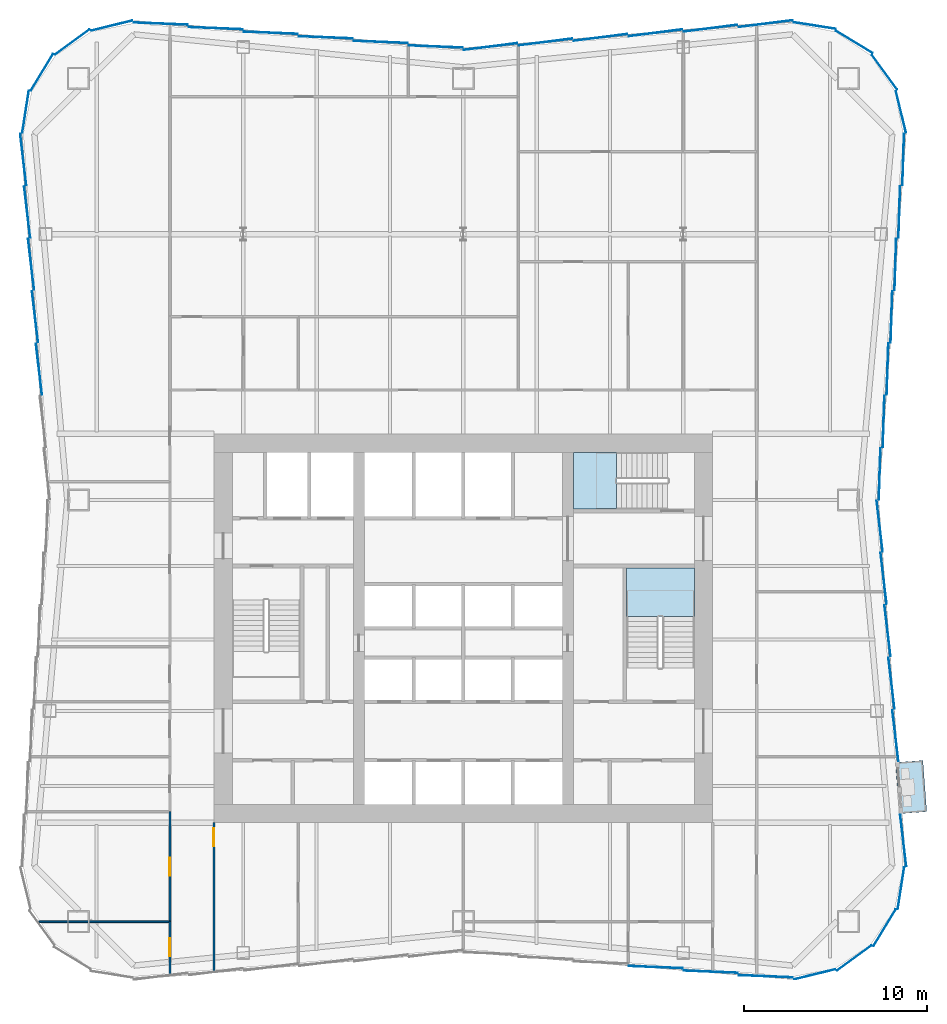
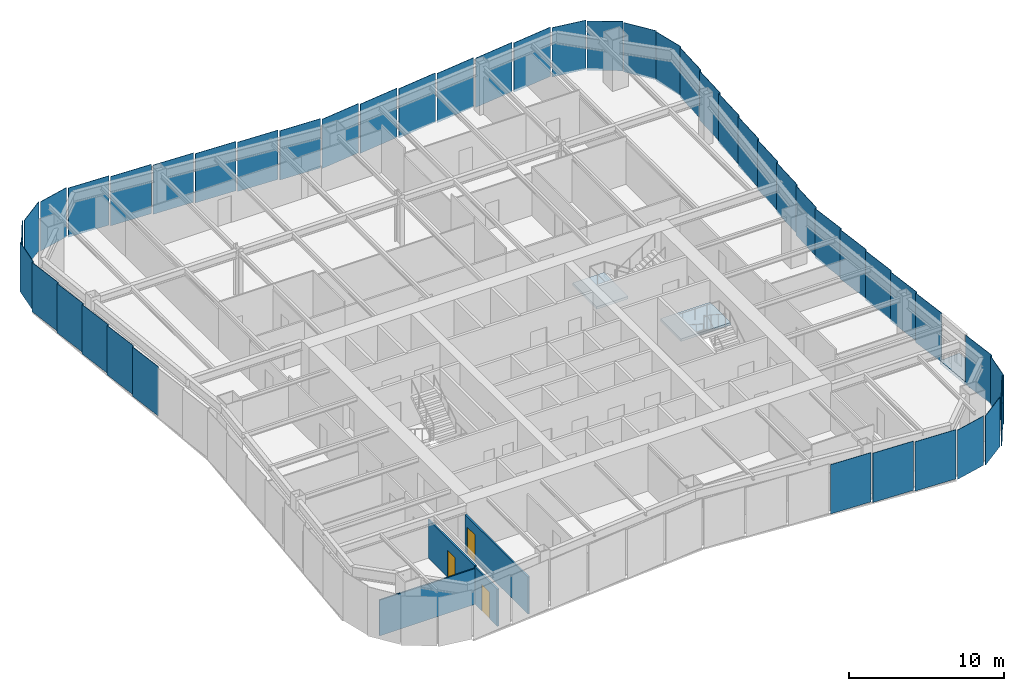
# One storey, part 3 of 9: 45 plates, 4 walls, 3 doors, 3 slabs, 3 openings, 9 elements without a shape of their own.
"""IFC4 building model written with IfcOpenShell, lengths in metres."""

from ifc_helpers import new_model, si_unit, direction, frame, frame_2d, origin, origin_2d, place, context, subcontext, project, spatial, polyline, rectangle, outline, extrude, material, layer, layer_set, type_object, element, fill, aggregate, save


model = new_model("IFC4")

# Units and contexts
model_context = context("Model", 3, precision=1e-05, world=origin(), true_north=direction((0.0, 1.0)))
body_context = subcontext(model_context, "Body", "Model", "MODEL_VIEW")
ifc_project = project(units=[si_unit("LENGTHUNIT", "METRE"), si_unit("AREAUNIT", "SQUARE_METRE"), si_unit("VOLUMEUNIT", "CUBIC_METRE"), si_unit("PLANEANGLEUNIT", "RADIAN"), si_unit("MASSUNIT", "GRAM", prefix="KILO")], contexts=[model_context])

# Site, building, storey
site_placement = place(None, origin())
site = spatial("IfcSite", under=ifc_project, at=site_placement, CompositionType="ELEMENT")
building_placement = place(site_placement, origin())
building = spatial("IfcBuilding", under=site, at=building_placement, Name="Verdant Reach Tower", CompositionType="ELEMENT")
storey_placement = place(building_placement, frame((0.0, 0.0, 166.0)))
storey = spatial("IfcBuildingStorey", under=building, at=storey_placement, Name="L38", CompositionType="ELEMENT", Elevation=166.0)

# Stair, slab
ifc_material_1 = material(Name="Concrete C40/50", Category="concrete")
stair_type = type_object("IfcStairType", Name="CO-STAIR", PredefinedType="HALF_TURN_STAIR", material=ifc_material_1)
stair_1_placement = place(storey_placement, origin())
stair_1 = element("IfcStair", 1, at=stair_1_placement, inside=storey, type_object=stair_type, Name="L38 Exit stair 2", PredefinedType="HALF_TURN_STAIR")
ifc_layer_1 = layer(ifc_material_1, 0.199951171875)
ifc_layer_set_1 = layer_set([ifc_layer_1], Name="CO-STAIR-LANDING")
slab_type_1 = type_object("IfcSlabType", Name="CO-STAIR-LANDING", PredefinedType="LANDING", material=ifc_layer_set_1)
slab_1_placement = place(storey_placement, frame((0.0, 0.0, 1.800048828125)))
slab_1 = element("IfcSlab", 2, at=slab_1_placement, type_object=slab_type_1, Name="ST-2 landing 1", PredefinedType="LANDING", context=body_context, shape_type="SweptSolid", body=[
    extrude(outline(polyline([(12.60009765625, 28.64990234375), (12.60009765625, 31.300048828125), (8.89990234375, 31.300048828125), (8.89990234375, 28.64990234375), (12.60009765625, 28.64990234375)])), origin(), (0.0, 0.0, 1.0), 0.199951171875),
])
aggregate(stair_1, [slab_1])

stair_2_placement = place(storey_placement, origin())
stair_2 = element("IfcStair", 3, at=stair_2_placement, inside=storey, type_object=stair_type, Name="L38 Exit stair 3", PredefinedType="HALF_TURN_STAIR")
slab_2_placement = place(storey_placement, frame((0.0, 0.0, 1.800048828125)))
slab_2 = element("IfcSlab", 4, at=slab_2_placement, type_object=slab_type_1, Name="ST-3 landing 1", PredefinedType="LANDING", context=body_context, shape_type="SweptSolid", body=[
    extrude(outline(polyline([(8.35009765625, 37.60009765625), (6.0, 37.60009765625), (6.0, 34.5), (8.35009765625, 34.5), (8.35009765625, 37.60009765625)])), origin(), (0.0, 0.0, 1.0), 0.199951171875),
])
aggregate(stair_2, [slab_2])

# Slab
ifc_material_2 = material(Name="Concrete C35/45", Category="concrete")
ifc_layer_2 = layer(ifc_material_2, 0.25)
ifc_layer_set_2 = layer_set([ifc_layer_2], Name="EN-BALCONY SLAB")
slab_type_2 = type_object("IfcSlabType", Name="EN-BALCONY SLAB", PredefinedType="FLOOR", material=ifc_layer_set_2)
slab_3_placement = place(storey_placement, frame((0.0, 0.0, -0.25)))
element("IfcSlab", 5, at=slab_3_placement, inside=storey, type_object=slab_type_2, Name="Balcony slab 1, L38", PredefinedType="FLOOR", context=body_context, shape_type="SweptSolid", body=[
    extrude(outline(polyline([(23.783203125, 17.88916015625), (23.57373046875, 20.682373046875), (25.069580078125, 20.794677734375), (25.279052734375, 18.001220703125), (23.783203125, 17.88916015625)])), origin(), (0.0, 0.0, 1.0), 0.25),
])

# Curtain wall, plates
ifc_material_3 = material(Name="Anodised aluminium", Category="aluminium")
curtain_wall_type = type_object("IfcCurtainWallType", Name="EN-CW SYSTEM Z2", PredefinedType="NOTDEFINED", material=ifc_material_3)
curtain_wall_1_placement = place(storey_placement, origin())
curtain_wall_1 = element("IfcCurtainWall", 6, at=curtain_wall_1_placement, inside=storey, type_object=curtain_wall_type, Name="Curtain wall south-east corner, L38", PredefinedType="NOTDEFINED")
ifc_material_4 = material(Name="Tinted glass with champagne spandrel", Category="glass")
ifc_layer_3 = layer(ifc_material_4, 0.031982421875)
ifc_layer_set_3 = layer_set([ifc_layer_3], Name="EN-PANEL CHAMPAGNE")
plate_type_1 = type_object("IfcPlateType", Name="EN-PANEL CHAMPAGNE", PredefinedType="CURTAIN_PANEL", material=ifc_layer_set_3)
plate_1_placement = place(storey_placement, frame((21.3271484375, 10.0205078125, -0.22607421875), z_axis=(0.0, 0.0, 1.0), x_axis=(0.807456760688, 0.589926757843, 0.0)))
plate_1 = element("IfcPlate", 7, at=plate_1_placement, type_object=plate_type_1, Name="Glass panel south-east corner 2.1, L38", PredefinedType="CURTAIN_PANEL", context=body_context, shape_type="SweptSolid", body=[
    extrude(rectangle(XDim=2.322509765625, YDim=0.031982421875, at=origin_2d()), origin(), (0.0, 0.0, 1.0), 3.8759765625),
])
plate_2_placement = place(storey_placement, frame((22.9794921875, 11.6728515625, -0.22607421875), z_axis=(0.0, 0.0, 1.0), x_axis=(0.520291561353, 0.853988694998, 0.0)))
plate_2 = element("IfcPlate", 8, at=plate_2_placement, type_object=plate_type_1, Name="Glass panel south-east corner 3.1, L38", PredefinedType="CURTAIN_PANEL", context=body_context, shape_type="SweptSolid", body=[
    extrude(rectangle(XDim=2.322509765625, YDim=0.031982421875, at=origin_2d()), origin(), (0.0, 0.0, 1.0), 3.8759765625),
])

curtain_wall_2_placement = place(storey_placement, origin())
curtain_wall_2 = element("IfcCurtainWall", 9, at=curtain_wall_2_placement, inside=storey, type_object=curtain_wall_type, Name="Curtain wall east, L38", PredefinedType="NOTDEFINED")
plate_3_placement = place(storey_placement, frame((23.99853515625, 16.42919921875, -0.22607421875), z_axis=(0.0, 0.0, 1.0), x_axis=(-0.116147092358, 0.993232023717, 0.0)))
plate_3 = element("IfcPlate", 10, at=plate_3_placement, type_object=plate_type_1, Name="Glass panel east face part 1 1.1, L38", PredefinedType="CURTAIN_PANEL", context=body_context, shape_type="SweptSolid", body=[
    extrude(rectangle(XDim=2.819580078125, YDim=0.031982421875, at=origin_2d()), origin(), (0.0, 0.0, 1.0), 3.8759765625),
])
plate_4_placement = place(storey_placement, frame((22.92724609375, 39.27783203125, -0.22607421875), z_axis=(0.0, 0.0, 1.0), x_axis=(0.032965971753, 0.999456474643, 0.0)))
plate_4 = element("IfcPlate", 11, at=plate_4_placement, type_object=plate_type_1, Name="Glass panel east face part 2 2.1, L38", PredefinedType="CURTAIN_PANEL", context=body_context, shape_type="SweptSolid", body=[
    extrude(rectangle(XDim=2.80517578125, YDim=0.031982421875, at=origin_2d()), origin(), (0.0, 0.0, 1.0), 3.8759765625),
])
plate_5_placement = place(storey_placement, frame((23.141357421875, 42.135009765625, -0.22607421875), z_axis=(0.0, 0.0, 1.0), x_axis=(0.032965971753, 0.999456474643, 0.0)))
plate_5 = element("IfcPlate", 12, at=plate_5_placement, type_object=plate_type_1, Name="Glass panel east face part 2 3.1, L38", PredefinedType="CURTAIN_PANEL", context=body_context, shape_type="SweptSolid", body=[
    extrude(rectangle(XDim=2.80517578125, YDim=0.031982421875, at=origin_2d()), origin(), (0.0, 0.0, 1.0), 3.8759765625),
])

curtain_wall_3_placement = place(storey_placement, origin())
curtain_wall_3 = element("IfcCurtainWall", 13, at=curtain_wall_3_placement, inside=storey, type_object=curtain_wall_type, Name="Curtain wall north-east corner, L38", PredefinedType="NOTDEFINED")
plate_6_placement = place(storey_placement, frame((23.87353515625, 56.171630859375, -0.22607421875), z_axis=(0.0, 0.0, 1.0), x_axis=(-0.236416170006, 0.971651889598, 0.0)))
plate_6 = element("IfcPlate", 14, at=plate_6_placement, type_object=plate_type_1, Name="Glass panel north-east corner 1.1, L38", PredefinedType="CURTAIN_PANEL", context=body_context, shape_type="SweptSolid", body=[
    extrude(rectangle(XDim=2.316162109375, YDim=0.031982421875, at=origin_2d()), origin(), (0.0, 0.0, 1.0), 3.8759765625),
])
plate_7_placement = place(storey_placement, frame((22.9794921875, 58.3271484375, -0.22607421875), z_axis=(0.0, 0.0, 1.0), x_axis=(-0.589926757843, 0.807456760688, 0.0)))
plate_7 = element("IfcPlate", 15, at=plate_7_placement, type_object=plate_type_1, Name="Glass panel north-east corner 2.1, L38", PredefinedType="CURTAIN_PANEL", context=body_context, shape_type="SweptSolid", body=[
    extrude(rectangle(XDim=2.322509765625, YDim=0.031982421875, at=origin_2d()), origin(), (0.0, 0.0, 1.0), 3.8759765625),
])

curtain_wall_4_placement = place(storey_placement, origin())
curtain_wall_4 = element("IfcCurtainWall", 16, at=curtain_wall_4_placement, inside=storey, type_object=curtain_wall_type, Name="Curtain wall north, L38", PredefinedType="NOTDEFINED")
plate_8_placement = place(storey_placement, frame((1.49560546875, 59.730712890625, -0.22607421875), z_axis=(0.0, 0.0, 1.0), x_axis=(-0.992178815188, -0.12482467181, 0.0)))
plate_8 = element("IfcPlate", 17, at=plate_8_placement, type_object=plate_type_1, Name="Glass panel north face part 1 6.1, L38", PredefinedType="CURTAIN_PANEL", context=body_context, shape_type="SweptSolid", body=[
    extrude(rectangle(XDim=2.941650390625, YDim=0.031982421875, at=origin_2d()), origin(), (0.0, 0.0, 1.0), 3.8759765625),
])
plate_9_placement = place(storey_placement, frame((-1.49560546875, 59.730712890625, -0.22607421875), z_axis=(0.0, 0.0, 1.0), x_axis=(-0.999144163765, 0.041363510662, 0.0)))
plate_9 = element("IfcPlate", 18, at=plate_9_placement, type_object=plate_type_1, Name="Glass panel north face part 2 1.1, L38", PredefinedType="CURTAIN_PANEL", context=body_context, shape_type="SweptSolid", body=[
    extrude(rectangle(XDim=2.941650390625, YDim=0.031982421875, at=origin_2d()), origin(), (0.0, 0.0, 1.0), 3.8759765625),
])

curtain_wall_5_placement = place(storey_placement, origin())
curtain_wall_5 = element("IfcCurtainWall", 19, at=curtain_wall_5_placement, inside=storey, type_object=curtain_wall_type, Name="Curtain wall west, L38", PredefinedType="NOTDEFINED")
plate_10_placement = place(storey_placement, frame((-23.355712890625, 44.9921875, -0.22607421875), z_axis=(0.0, 0.0, 1.0), x_axis=(0.116482717753, -0.993192718693, 0.0)))
plate_10 = element("IfcPlate", 20, at=plate_10_placement, type_object=plate_type_1, Name="Glass panel west face part 1 4.1, L38", PredefinedType="CURTAIN_PANEL", context=body_context, shape_type="SweptSolid", body=[
    extrude(rectangle(XDim=2.80517578125, YDim=0.031982421875, at=origin_2d()), origin(), (0.0, 0.0, 1.0), 3.8759765625),
])
plate_11_placement = place(storey_placement, frame((-23.141357421875, 42.135009765625, -0.22607421875), z_axis=(0.0, 0.0, 1.0), x_axis=(0.116482717753, -0.993192718693, 0.0)))
plate_11 = element("IfcPlate", 21, at=plate_11_placement, type_object=plate_type_1, Name="Glass panel west face part 1 5.1, L38", PredefinedType="CURTAIN_PANEL", context=body_context, shape_type="SweptSolid", body=[
    extrude(rectangle(XDim=2.80517578125, YDim=0.031982421875, at=origin_2d()), origin(), (0.0, 0.0, 1.0), 3.8759765625),
])

curtain_wall_6_placement = place(storey_placement, origin())
curtain_wall_6 = element("IfcCurtainWall", 22, at=curtain_wall_6_placement, inside=storey, type_object=curtain_wall_type, Name="Curtain wall south, L38", PredefinedType="NOTDEFINED")
plate_12_placement = place(storey_placement, frame((10.4912109375, 9.519287109375, -0.22607421875), z_axis=(0.0, 0.0, 1.0), x_axis=(0.999149202059, -0.041241629766, 0.0)))
plate_12 = element("IfcPlate", 23, at=plate_12_placement, type_object=plate_type_1, Name="Glass panel south face part 2 4.1, L38", PredefinedType="CURTAIN_PANEL", context=body_context, shape_type="SweptSolid", body=[
    extrude(rectangle(XDim=2.950439453125, YDim=0.031982421875, at=origin_2d()), origin(), (0.0, 0.0, 1.0), 3.8759765625),
])
plate_13_placement = place(storey_placement, frame((13.4912109375, 9.269287109375, -0.22607421875), z_axis=(0.0, 0.0, 1.0), x_axis=(0.999149202059, -0.041241629766, 0.0)))
plate_13 = element("IfcPlate", 24, at=plate_13_placement, type_object=plate_type_1, Name="Glass panel south face part 2 5.1, L38", PredefinedType="CURTAIN_PANEL", context=body_context, shape_type="SweptSolid", body=[
    extrude(rectangle(XDim=2.950439453125, YDim=0.031982421875, at=origin_2d()), origin(), (0.0, 0.0, 1.0), 3.8759765625),
])

# Plate
ifc_material_5 = material(Name="Tinted glass with copper spandrel", Category="glass")
ifc_layer_4 = layer(ifc_material_5, 0.031982421875)
ifc_layer_set_4 = layer_set([ifc_layer_4], Name="EN-PANEL COPPER")
plate_type_2 = type_object("IfcPlateType", Name="EN-PANEL COPPER", PredefinedType="CURTAIN_PANEL", material=ifc_layer_set_4)
plate_14_placement = place(storey_placement, frame((23.87353515625, 13.828369140625, -0.22607421875), z_axis=(0.0, 0.0, 1.0), x_axis=(0.154281290631, 0.988026964896, 0.0)))
plate_14 = element("IfcPlate", 25, at=plate_14_placement, type_object=plate_type_2, Name="Glass panel south-east corner 4.1, L38", PredefinedType="CURTAIN_PANEL", context=body_context, shape_type="SweptSolid", body=[
    extrude(rectangle(XDim=2.316162109375, YDim=0.031982421875, at=origin_2d()), origin(), (0.0, 0.0, 1.0), 3.8759765625),
])

plate_15_placement = place(storey_placement, frame((23.570068359375, 22.15087890625, -0.22607421875), z_axis=(0.0, 0.0, 1.0), x_axis=(-0.116482717753, 0.993192718693, 0.0)))
plate_15 = element("IfcPlate", 26, at=plate_15_placement, type_object=plate_type_2, Name="Glass panel east face part 1 3.1, L38", PredefinedType="CURTAIN_PANEL", context=body_context, shape_type="SweptSolid", body=[
    extrude(rectangle(XDim=2.80517578125, YDim=0.031982421875, at=origin_2d()), origin(), (0.0, 0.0, 1.0), 3.8759765625),
])

plate_16_placement = place(storey_placement, frame((23.355712890625, 25.0078125, -0.22607421875), z_axis=(0.0, 0.0, 1.0), x_axis=(-0.116482717753, 0.993192718693, 0.0)))
plate_16 = element("IfcPlate", 27, at=plate_16_placement, type_object=plate_type_2, Name="Glass panel east face part 1 4.1, L38", PredefinedType="CURTAIN_PANEL", context=body_context, shape_type="SweptSolid", body=[
    extrude(rectangle(XDim=2.80517578125, YDim=0.031982421875, at=origin_2d()), origin(), (0.0, 0.0, 1.0), 3.8759765625),
])

plate_17_placement = place(storey_placement, frame((23.355712890625, 44.9921875, -0.22607421875), z_axis=(0.0, 0.0, 1.0), x_axis=(0.032965971753, 0.999456474643, 0.0)))
plate_17 = element("IfcPlate", 28, at=plate_17_placement, type_object=plate_type_2, Name="Glass panel east face part 2 4.1, L38", PredefinedType="CURTAIN_PANEL", context=body_context, shape_type="SweptSolid", body=[
    extrude(rectangle(XDim=2.80517578125, YDim=0.031982421875, at=origin_2d()), origin(), (0.0, 0.0, 1.0), 3.8759765625),
])

plate_18_placement = place(storey_placement, frame((23.570068359375, 47.84912109375, -0.22607421875), z_axis=(0.0, 0.0, 1.0), x_axis=(0.032965971753, 0.999456474643, 0.0)))
plate_18 = element("IfcPlate", 29, at=plate_18_placement, type_object=plate_type_2, Name="Glass panel east face part 2 5.1, L38", PredefinedType="CURTAIN_PANEL", context=body_context, shape_type="SweptSolid", body=[
    extrude(rectangle(XDim=2.80517578125, YDim=0.031982421875, at=origin_2d()), origin(), (0.0, 0.0, 1.0), 3.8759765625),
])

plate_19_placement = place(storey_placement, frame((23.7841796875, 50.706298828125, -0.22607421875), z_axis=(0.0, 0.0, 1.0), x_axis=(0.032965971753, 0.999456474643, 0.0)))
plate_19 = element("IfcPlate", 30, at=plate_19_placement, type_object=plate_type_2, Name="Glass panel east face part 2 6.1, L38", PredefinedType="CURTAIN_PANEL", context=body_context, shape_type="SweptSolid", body=[
    extrude(rectangle(XDim=2.80517578125, YDim=0.031982421875, at=origin_2d()), origin(), (0.0, 0.0, 1.0), 3.8759765625),
])

plate_20_placement = place(storey_placement, frame((21.3271484375, 59.9794921875, -0.22607421875), z_axis=(0.0, 0.0, 1.0), x_axis=(-0.853988694998, 0.520291561353, 0.0)))
plate_20 = element("IfcPlate", 31, at=plate_20_placement, type_object=plate_type_2, Name="Glass panel north-east corner 3.1, L38", PredefinedType="CURTAIN_PANEL", context=body_context, shape_type="SweptSolid", body=[
    extrude(rectangle(XDim=2.322509765625, YDim=0.031982421875, at=origin_2d()), origin(), (0.0, 0.0, 1.0), 3.8759765625),
])

plate_21_placement = place(storey_placement, frame((19.17138671875, 60.87353515625, -0.22607421875), z_axis=(0.0, 0.0, 1.0), x_axis=(-0.988030887576, 0.154256167447, 0.0)))
plate_21 = element("IfcPlate", 32, at=plate_21_placement, type_object=plate_type_2, Name="Glass panel north-east corner 4.1, L38", PredefinedType="CURTAIN_PANEL", context=body_context, shape_type="SweptSolid", body=[
    extrude(rectangle(XDim=2.31640625, YDim=0.031982421875, at=origin_2d()), origin(), (0.0, 0.0, 1.0), 3.8759765625),
])

aggregate(curtain_wall_3, [plate_6, plate_7, plate_20, plate_21])

plate_22_placement = place(storey_placement, frame((16.49853515625, 60.980712890625, -0.22607421875), z_axis=(0.0, 0.0, 1.0), x_axis=(-0.992236570309, -0.124364739946, 0.0)))
plate_22 = element("IfcPlate", 33, at=plate_22_placement, type_object=plate_type_2, Name="Glass panel north face part 1 1.1, L38", PredefinedType="CURTAIN_PANEL", context=body_context, shape_type="SweptSolid", body=[
    extrude(rectangle(XDim=2.965087890625, YDim=0.031982421875, at=origin_2d()), origin(), (0.0, 0.0, 1.0), 3.8759765625),
])

plate_23_placement = place(storey_placement, frame((13.4912109375, 60.730712890625, -0.22607421875), z_axis=(0.0, 0.0, 1.0), x_axis=(-0.992194034542, -0.124703639961, 0.0)))
plate_23 = element("IfcPlate", 34, at=plate_23_placement, type_object=plate_type_2, Name="Glass panel north face part 1 2.1, L38", PredefinedType="CURTAIN_PANEL", context=body_context, shape_type="SweptSolid", body=[
    extrude(rectangle(XDim=2.950439453125, YDim=0.031982421875, at=origin_2d()), origin(), (0.0, 0.0, 1.0), 3.8759765625),
])

plate_24_placement = place(storey_placement, frame((-4.4912109375, 59.980712890625, -0.22607421875), z_axis=(0.0, 0.0, 1.0), x_axis=(-0.999149202059, 0.041241629766, 0.0)))
plate_24 = element("IfcPlate", 35, at=plate_24_placement, type_object=plate_type_2, Name="Glass panel north face part 2 2.1, L38", PredefinedType="CURTAIN_PANEL", context=body_context, shape_type="SweptSolid", body=[
    extrude(rectangle(XDim=2.950439453125, YDim=0.031982421875, at=origin_2d()), origin(), (0.0, 0.0, 1.0), 3.8759765625),
])

plate_25_placement = place(storey_placement, frame((-7.4912109375, 60.230712890625, -0.22607421875), z_axis=(0.0, 0.0, 1.0), x_axis=(-0.999149202059, 0.041241629766, 0.0)))
plate_25 = element("IfcPlate", 36, at=plate_25_placement, type_object=plate_type_2, Name="Glass panel north face part 2 3.1, L38", PredefinedType="CURTAIN_PANEL", context=body_context, shape_type="SweptSolid", body=[
    extrude(rectangle(XDim=2.950439453125, YDim=0.031982421875, at=origin_2d()), origin(), (0.0, 0.0, 1.0), 3.8759765625),
])

plate_26_placement = place(storey_placement, frame((-10.4912109375, 60.480712890625, -0.22607421875), z_axis=(0.0, 0.0, 1.0), x_axis=(-0.999149202059, 0.041241629766, 0.0)))
plate_26 = element("IfcPlate", 37, at=plate_26_placement, type_object=plate_type_2, Name="Glass panel north face part 2 4.1, L38", PredefinedType="CURTAIN_PANEL", context=body_context, shape_type="SweptSolid", body=[
    extrude(rectangle(XDim=2.950439453125, YDim=0.031982421875, at=origin_2d()), origin(), (0.0, 0.0, 1.0), 3.8759765625),
])

# Curtain wall, plates
curtain_wall_7_placement = place(storey_placement, origin())
curtain_wall_7 = element("IfcCurtainWall", 38, at=curtain_wall_7_placement, inside=storey, type_object=curtain_wall_type, Name="Curtain wall north-west corner, L38", PredefinedType="NOTDEFINED")
plate_27_placement = place(storey_placement, frame((-19.17138671875, 60.87353515625, -0.22607421875), z_axis=(0.0, 0.0, 1.0), x_axis=(-0.971657900775, -0.236391463174, 0.0)))
plate_27 = element("IfcPlate", 39, at=plate_27_placement, type_object=plate_type_2, Name="Glass panel north-west corner 1.1, L38", PredefinedType="CURTAIN_PANEL", context=body_context, shape_type="SweptSolid", body=[
    extrude(rectangle(XDim=2.31640625, YDim=0.031982421875, at=origin_2d()), origin(), (0.0, 0.0, 1.0), 3.8759765625),
])
plate_28_placement = place(storey_placement, frame((-21.3271484375, 59.9794921875, -0.22607421875), z_axis=(0.0, 0.0, 1.0), x_axis=(-0.807456760688, -0.589926757843, 0.0)))
plate_28 = element("IfcPlate", 40, at=plate_28_placement, type_object=plate_type_2, Name="Glass panel north-west corner 2.1, L38", PredefinedType="CURTAIN_PANEL", context=body_context, shape_type="SweptSolid", body=[
    extrude(rectangle(XDim=2.322509765625, YDim=0.031982421875, at=origin_2d()), origin(), (0.0, 0.0, 1.0), 3.8759765625),
])

# Plate
plate_29_placement = place(storey_placement, frame((-23.99853515625, 53.57080078125, -0.22607421875), z_axis=(0.0, 0.0, 1.0), x_axis=(0.116147092358, -0.993232023717, 0.0)))
plate_29 = element("IfcPlate", 41, at=plate_29_placement, type_object=plate_type_2, Name="Glass panel west face part 1 1.1, L38", PredefinedType="CURTAIN_PANEL", context=body_context, shape_type="SweptSolid", body=[
    extrude(rectangle(XDim=2.819580078125, YDim=0.031982421875, at=origin_2d()), origin(), (0.0, 0.0, 1.0), 3.8759765625),
])

plate_30_placement = place(storey_placement, frame((16.49853515625, 9.019287109375, -0.22607421875), z_axis=(0.0, 0.0, 1.0), x_axis=(0.999163230224, -0.040900359019, 0.0)))
plate_30 = element("IfcPlate", 42, at=plate_30_placement, type_object=plate_type_2, Name="Glass panel south face part 2 6.1, L38", PredefinedType="CURTAIN_PANEL", context=body_context, shape_type="SweptSolid", body=[
    extrude(rectangle(XDim=2.965087890625, YDim=0.031982421875, at=origin_2d()), origin(), (0.0, 0.0, 1.0), 3.8759765625),
])

aggregate(curtain_wall_6, [plate_12, plate_13, plate_30])

ifc_material_6 = material(Name="Tinted glass with dark bronze spandrel", Category="glass")
ifc_layer_5 = layer(ifc_material_6, 0.031982421875)
ifc_layer_set_5 = layer_set([ifc_layer_5], Name="EN-PANEL DARK")
plate_type_3 = type_object("IfcPlateType", Name="EN-PANEL DARK", PredefinedType="CURTAIN_PANEL", material=ifc_layer_set_5)
plate_31_placement = place(storey_placement, frame((19.17138671875, 9.12646484375, -0.22607421875), z_axis=(0.0, 0.0, 1.0), x_axis=(0.971657900775, 0.236391463174, 0.0)))
plate_31 = element("IfcPlate", 43, at=plate_31_placement, type_object=plate_type_3, Name="Glass panel south-east corner 1.1, L38", PredefinedType="CURTAIN_PANEL", context=body_context, shape_type="SweptSolid", body=[
    extrude(rectangle(XDim=2.31640625, YDim=0.031982421875, at=origin_2d()), origin(), (0.0, 0.0, 1.0), 3.8759765625),
])

aggregate(curtain_wall_1, [plate_31, plate_1, plate_2, plate_14])

plate_32_placement = place(storey_placement, frame((23.141357421875, 27.864990234375, -0.22607421875), z_axis=(0.0, 0.0, 1.0), x_axis=(-0.116482717753, 0.993192718693, 0.0)))
plate_32 = element("IfcPlate", 44, at=plate_32_placement, type_object=plate_type_3, Name="Glass panel east face part 1 5.1, L38", PredefinedType="CURTAIN_PANEL", context=body_context, shape_type="SweptSolid", body=[
    extrude(rectangle(XDim=2.80517578125, YDim=0.031982421875, at=origin_2d()), origin(), (0.0, 0.0, 1.0), 3.8759765625),
])

plate_33_placement = place(storey_placement, frame((22.92724609375, 30.72216796875, -0.22607421875), z_axis=(0.0, 0.0, 1.0), x_axis=(-0.116482717753, 0.993192718693, 0.0)))
plate_33 = element("IfcPlate", 45, at=plate_33_placement, type_object=plate_type_3, Name="Glass panel east face part 1 6.1, L38", PredefinedType="CURTAIN_PANEL", context=body_context, shape_type="SweptSolid", body=[
    extrude(rectangle(XDim=2.80517578125, YDim=0.031982421875, at=origin_2d()), origin(), (0.0, 0.0, 1.0), 3.8759765625),
])

plate_34_placement = place(storey_placement, frame((22.712890625, 33.575439453125, -0.22607421875), z_axis=(0.0, 0.0, 1.0), x_axis=(-0.116585911919, 0.993180610535, 0.0)))
plate_34 = element("IfcPlate", 46, at=plate_34_placement, type_object=plate_type_3, Name="Glass panel east face part 1 7.1, L38", PredefinedType="CURTAIN_PANEL", context=body_context, shape_type="SweptSolid", body=[
    extrude(rectangle(XDim=2.797119140625, YDim=0.031982421875, at=origin_2d()), origin(), (0.0, 0.0, 1.0), 3.8759765625),
])

plate_35_placement = place(storey_placement, frame((22.712890625, 36.424560546875, -0.22607421875), z_axis=(0.0, 0.0, 1.0), x_axis=(0.033069817188, 0.999453044015, 0.0)))
plate_35 = element("IfcPlate", 47, at=plate_35_placement, type_object=plate_type_3, Name="Glass panel east face part 2 1.1, L38", PredefinedType="CURTAIN_PANEL", context=body_context, shape_type="SweptSolid", body=[
    extrude(rectangle(XDim=2.797119140625, YDim=0.031982421875, at=origin_2d()), origin(), (0.0, 0.0, 1.0), 3.8759765625),
])

plate_36_placement = place(storey_placement, frame((23.99853515625, 53.57080078125, -0.22607421875), z_axis=(0.0, 0.0, 1.0), x_axis=(0.032628234484, 0.99946755741, 0.0)))
plate_36 = element("IfcPlate", 48, at=plate_36_placement, type_object=plate_type_3, Name="Glass panel east face part 2 7.1, L38", PredefinedType="CURTAIN_PANEL", context=body_context, shape_type="SweptSolid", body=[
    extrude(rectangle(XDim=2.819580078125, YDim=0.031982421875, at=origin_2d()), origin(), (0.0, 0.0, 1.0), 3.8759765625),
])

aggregate(curtain_wall_2, [plate_3, plate_15, plate_16, plate_32, plate_33, plate_34, plate_35, plate_4, plate_5, plate_17, plate_18, plate_19, plate_36])

plate_37_placement = place(storey_placement, frame((10.4912109375, 60.480712890625, -0.22607421875), z_axis=(0.0, 0.0, 1.0), x_axis=(-0.992194034542, -0.124703639961, 0.0)))
plate_37 = element("IfcPlate", 49, at=plate_37_placement, type_object=plate_type_3, Name="Glass panel north face part 1 3.1, L38", PredefinedType="CURTAIN_PANEL", context=body_context, shape_type="SweptSolid", body=[
    extrude(rectangle(XDim=2.950439453125, YDim=0.031982421875, at=origin_2d()), origin(), (0.0, 0.0, 1.0), 3.8759765625),
])

plate_38_placement = place(storey_placement, frame((7.4912109375, 60.230712890625, -0.22607421875), z_axis=(0.0, 0.0, 1.0), x_axis=(-0.992194034542, -0.124703639961, 0.0)))
plate_38 = element("IfcPlate", 50, at=plate_38_placement, type_object=plate_type_3, Name="Glass panel north face part 1 4.1, L38", PredefinedType="CURTAIN_PANEL", context=body_context, shape_type="SweptSolid", body=[
    extrude(rectangle(XDim=2.950439453125, YDim=0.031982421875, at=origin_2d()), origin(), (0.0, 0.0, 1.0), 3.8759765625),
])

plate_39_placement = place(storey_placement, frame((4.4912109375, 59.980712890625, -0.22607421875), z_axis=(0.0, 0.0, 1.0), x_axis=(-0.992194034542, -0.124703639961, 0.0)))
plate_39 = element("IfcPlate", 51, at=plate_39_placement, type_object=plate_type_3, Name="Glass panel north face part 1 5.1, L38", PredefinedType="CURTAIN_PANEL", context=body_context, shape_type="SweptSolid", body=[
    extrude(rectangle(XDim=2.950439453125, YDim=0.031982421875, at=origin_2d()), origin(), (0.0, 0.0, 1.0), 3.8759765625),
])

plate_40_placement = place(storey_placement, frame((-13.4912109375, 60.730712890625, -0.22607421875), z_axis=(0.0, 0.0, 1.0), x_axis=(-0.999149202059, 0.041241629766, 0.0)))
plate_40 = element("IfcPlate", 52, at=plate_40_placement, type_object=plate_type_3, Name="Glass panel north face part 2 5.1, L38", PredefinedType="CURTAIN_PANEL", context=body_context, shape_type="SweptSolid", body=[
    extrude(rectangle(XDim=2.950439453125, YDim=0.031982421875, at=origin_2d()), origin(), (0.0, 0.0, 1.0), 3.8759765625),
])

plate_41_placement = place(storey_placement, frame((-16.49853515625, 60.980712890625, -0.22607421875), z_axis=(0.0, 0.0, 1.0), x_axis=(-0.999163230224, 0.040900359019, 0.0)))
plate_41 = element("IfcPlate", 53, at=plate_41_placement, type_object=plate_type_3, Name="Glass panel north face part 2 6.1, L38", PredefinedType="CURTAIN_PANEL", context=body_context, shape_type="SweptSolid", body=[
    extrude(rectangle(XDim=2.965087890625, YDim=0.031982421875, at=origin_2d()), origin(), (0.0, 0.0, 1.0), 3.8759765625),
])

aggregate(curtain_wall_4, [plate_22, plate_23, plate_37, plate_38, plate_39, plate_8, plate_9, plate_24, plate_25, plate_26, plate_40, plate_41])

plate_42_placement = place(storey_placement, frame((-22.9794921875, 58.3271484375, -0.22607421875), z_axis=(0.0, 0.0, 1.0), x_axis=(-0.520291561353, -0.853988694998, 0.0)))
plate_42 = element("IfcPlate", 54, at=plate_42_placement, type_object=plate_type_3, Name="Glass panel north-west corner 3.1, L38", PredefinedType="CURTAIN_PANEL", context=body_context, shape_type="SweptSolid", body=[
    extrude(rectangle(XDim=2.322509765625, YDim=0.031982421875, at=origin_2d()), origin(), (0.0, 0.0, 1.0), 3.8759765625),
])

plate_43_placement = place(storey_placement, frame((-23.87353515625, 56.171630859375, -0.22607421875), z_axis=(0.0, 0.0, 1.0), x_axis=(-0.154281290631, -0.988026964896, 0.0)))
plate_43 = element("IfcPlate", 55, at=plate_43_placement, type_object=plate_type_3, Name="Glass panel north-west corner 4.1, L38", PredefinedType="CURTAIN_PANEL", context=body_context, shape_type="SweptSolid", body=[
    extrude(rectangle(XDim=2.316162109375, YDim=0.031982421875, at=origin_2d()), origin(), (0.0, 0.0, 1.0), 3.8759765625),
])

aggregate(curtain_wall_7, [plate_27, plate_28, plate_42, plate_43])

plate_44_placement = place(storey_placement, frame((-23.7841796875, 50.706298828125, -0.22607421875), z_axis=(0.0, 0.0, 1.0), x_axis=(0.116482717753, -0.993192718693, 0.0)))
plate_44 = element("IfcPlate", 56, at=plate_44_placement, type_object=plate_type_3, Name="Glass panel west face part 1 2.1, L38", PredefinedType="CURTAIN_PANEL", context=body_context, shape_type="SweptSolid", body=[
    extrude(rectangle(XDim=2.80517578125, YDim=0.031982421875, at=origin_2d()), origin(), (0.0, 0.0, 1.0), 3.8759765625),
])

plate_45_placement = place(storey_placement, frame((-23.570068359375, 47.84912109375, -0.22607421875), z_axis=(0.0, 0.0, 1.0), x_axis=(0.116482717753, -0.993192718693, 0.0)))
plate_45 = element("IfcPlate", 57, at=plate_45_placement, type_object=plate_type_3, Name="Glass panel west face part 1 3.1, L38", PredefinedType="CURTAIN_PANEL", context=body_context, shape_type="SweptSolid", body=[
    extrude(rectangle(XDim=2.80517578125, YDim=0.031982421875, at=origin_2d()), origin(), (0.0, 0.0, 1.0), 3.8759765625),
])

aggregate(curtain_wall_5, [plate_29, plate_44, plate_45, plate_10, plate_11])

# Wall
ifc_material_7 = material(Name="Gypsum board on steel studs", Category="steel")
ifc_layer_6 = layer(ifc_material_7, 0.10009765625)
ifc_layer_set_6 = layer_set([ifc_layer_6], Name="FL-W1 Partition 100")
wall_type_1 = type_object("IfcWallType", Name="FL-W1 Partition 100", PredefinedType="PARTITIONING", material=ifc_layer_set_6)
wall_1_placement = place(storey_placement, frame((-16.0, 12.0, 0.0), z_axis=(0.0, 0.0, 1.0), x_axis=(-1.0, 0.0, 0.0)))
element("IfcWall", 58, at=wall_1_placement, inside=storey, type_object=wall_type_1, Name="Partition 38.20", PredefinedType="PARTITIONING", context=body_context, shape_type="SweptSolid", body=[
    extrude(rectangle(XDim=7.15283203125, YDim=0.10009765625, at=frame_2d((3.576416015625, 0.0))), origin(), (0.0, 0.0, 1.0), 2.81005859375),
])

# Wall, opening, door
ifc_material_8 = material(Name="Gypsum board on steel studs, fire rated", Category="steel")
ifc_layer_7 = layer(ifc_material_8, 0.125)
ifc_layer_set_7 = layer_set([ifc_layer_7], Name="FL-W2 Corridor wall 125")
wall_type_2 = type_object("IfcWallType", Name="FL-W2 Corridor wall 125", PredefinedType="PARTITIONING", material=ifc_layer_set_7)
wall_2_placement = place(storey_placement, frame((-16.0, 9.086669921875, 0.0), z_axis=(0.0, 0.0, 1.0), x_axis=(0.0, 1.0, 0.0)))
wall_2 = element("IfcWall", 59, at=wall_2_placement, inside=storey, type_object=wall_type_2, Name="Partition 38.01", PredefinedType="PARTITIONING", context=body_context, shape_type="SweptSolid", body=[
    extrude(rectangle(XDim=2.913330078125, YDim=0.125, at=frame_2d((1.45654296875, 0.0))), origin(), (0.0, 0.0, 1.0), 2.919921875),
])
opening_1_placement = place(wall_2_placement, frame((1.021728515625, 0.0, 0.0)))
opening_1 = element("IfcOpeningElement", 60, at=opening_1_placement, cuts=wall_2, Name="Opening D2", PredefinedType="OPENING", context=body_context, shape_type="SweptSolid", body=[
    extrude(rectangle(XDim=1.0, YDim=2.10009765625, at=frame_2d((0.5, 1.050048828125))), frame((0.0, 0.072509765625, 0.0), z_axis=(0.0, -1.0, 0.0), x_axis=(1.0, 0.0, 0.0)), (0.0, 0.0, 1.0), 0.14501953125),
])
ifc_material_9 = material(Name="Timber door leaf, fire rated", Category="wood")
door_type = type_object("IfcDoorType", Name="FL-D2 Entrance door 1000x2100 FD30", OperationType="NOTDEFINED", PredefinedType="DOOR", material=ifc_material_9)
door_1_placement = place(opening_1_placement, origin())
door_1 = element("IfcDoor", 61, at=door_1_placement, inside=storey, type_object=door_type, Name="Door 38-001", OperationType="SINGLE_SWING_RIGHT", OverallHeight=2.10009765625, OverallWidth=1.0, PredefinedType="DOOR", context=body_context, shape_type="SweptSolid", body=[
    extrude(rectangle(XDim=1.0, YDim=2.10009765625, at=frame_2d((0.5, 1.050048828125))), frame((0.0, 0.02490234375, 0.0), z_axis=(0.0, -1.0, 0.0), x_axis=(1.0, 0.0, 0.0)), (0.0, 0.0, 1.0), 0.050048828125),
])
fill(opening_1, door_1)

wall_3_placement = place(storey_placement, frame((-16.0, 12.0, 0.0), z_axis=(0.0, 0.0, 1.0), x_axis=(0.0, 1.0, 0.0)))
wall_3 = element("IfcWall", 62, at=wall_3_placement, inside=storey, type_object=wall_type_2, Name="Partition 38.02", PredefinedType="PARTITIONING", context=body_context, shape_type="SweptSolid", body=[
    extrude(rectangle(XDim=6.0, YDim=0.125, at=frame_2d((3.0, 0.0))), origin(), (0.0, 0.0, 1.0), 3.02001953125),
])
opening_2_placement = place(wall_3_placement, frame((2.5, 0.0, 0.0)))
opening_2 = element("IfcOpeningElement", 63, at=opening_2_placement, cuts=wall_3, Name="Opening D2", PredefinedType="OPENING", context=body_context, shape_type="SweptSolid", body=[
    extrude(rectangle(XDim=1.0, YDim=2.10009765625, at=frame_2d((0.5, 1.050048828125))), frame((0.0, 0.072509765625, 0.0), z_axis=(0.0, -1.0, 0.0), x_axis=(1.0, 0.0, 0.0)), (0.0, 0.0, 1.0), 0.14501953125),
])
door_2_placement = place(opening_2_placement, origin())
door_2 = element("IfcDoor", 64, at=door_2_placement, inside=storey, type_object=door_type, Name="Door 38-002", OperationType="SINGLE_SWING_RIGHT", OverallHeight=2.10009765625, OverallWidth=1.0, PredefinedType="DOOR", context=body_context, shape_type="SweptSolid", body=[
    extrude(rectangle(XDim=1.0, YDim=2.10009765625, at=frame_2d((0.5, 1.050048828125))), frame((0.0, 0.02490234375, 0.0), z_axis=(0.0, -1.0, 0.0), x_axis=(1.0, 0.0, 0.0)), (0.0, 0.0, 1.0), 0.050048828125),
])
fill(opening_2, door_2)

wall_4_placement = place(storey_placement, frame((-13.60009765625, 17.39990234375, 0.0), z_axis=(0.0, 0.0, 1.0), x_axis=(0.0, -1.0, 0.0)))
wall_4 = element("IfcWall", 65, at=wall_4_placement, inside=storey, type_object=wall_type_2, Name="Partition 38.11", PredefinedType="PARTITIONING", context=body_context, shape_type="SweptSolid", body=[
    extrude(rectangle(XDim=8.11328125, YDim=0.125, at=frame_2d((4.056640625, 0.0))), origin(), (0.0, 0.0, 1.0), 2.919921875),
])
opening_3_placement = place(wall_4_placement, frame((0.29150390625, 0.0, 0.0)))
opening_3 = element("IfcOpeningElement", 66, at=opening_3_placement, cuts=wall_4, Name="Opening D2", PredefinedType="OPENING", context=body_context, shape_type="SweptSolid", body=[
    extrude(rectangle(XDim=1.0, YDim=2.10009765625, at=frame_2d((0.5, 1.050048828125))), frame((0.0, 0.072509765625, 0.0), z_axis=(0.0, -1.0, 0.0), x_axis=(1.0, 0.0, 0.0)), (0.0, 0.0, 1.0), 0.14501953125),
])
door_3_placement = place(opening_3_placement, origin())
door_3 = element("IfcDoor", 67, at=door_3_placement, inside=storey, type_object=door_type, Name="Door 38-011", OperationType="SINGLE_SWING_LEFT", OverallHeight=2.10009765625, OverallWidth=1.0, PredefinedType="DOOR", context=body_context, shape_type="SweptSolid", body=[
    extrude(rectangle(XDim=1.0, YDim=2.10009765625, at=frame_2d((0.5, 1.050048828125))), frame((0.0, 0.02490234375, 0.0), z_axis=(0.0, -1.0, 0.0), x_axis=(1.0, 0.0, 0.0)), (0.0, 0.0, 1.0), 0.050048828125),
])
fill(opening_3, door_3)

save(model, "model.ifc")
